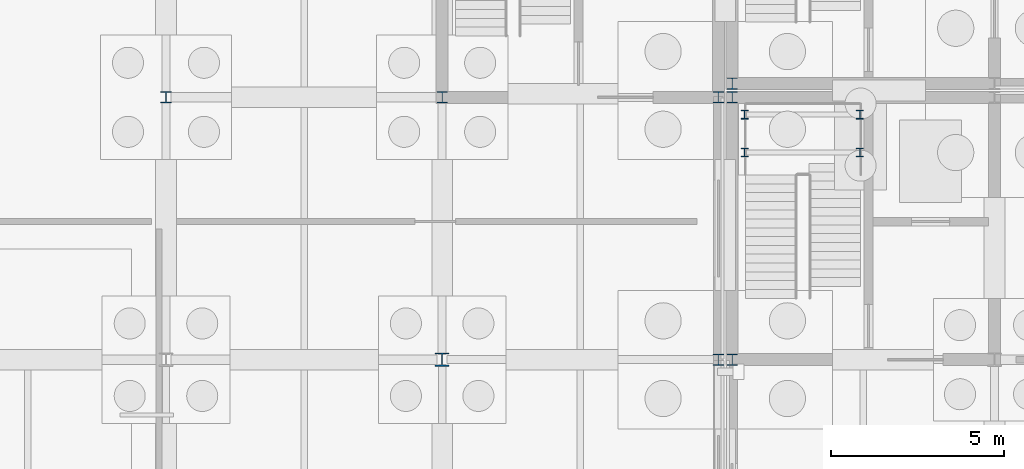
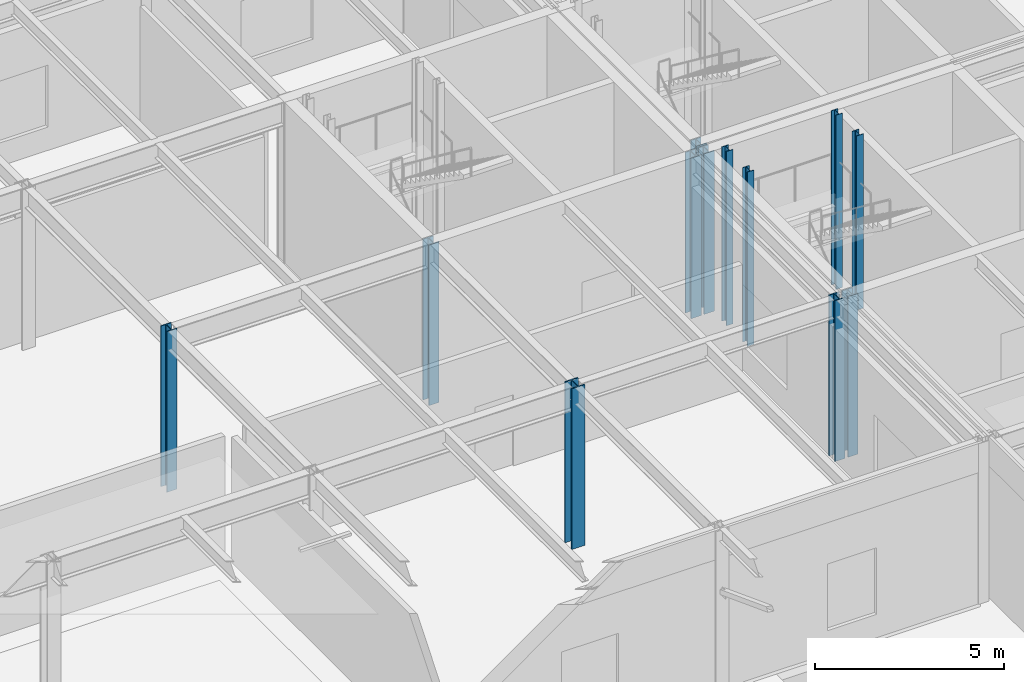
# One storey, part 17 of 62: 12 columns.
"""IFC4 building model written with IfcOpenShell, lengths in metres."""

from ifc_helpers import new_model, si_unit, direction, frame, origin, origin_2d, place, context, subcontext, project, spatial, i_section, extrude, material, material_profile, profile_set, type_object, element, save


model = new_model("IFC4")

# Units and contexts
model_context = context("Model", 3, precision=1e-05, world=origin(), true_north=direction((0.0, 1.0)))
body_context = subcontext(model_context, "Body", "Model", "MODEL_VIEW")
ifc_project = project(units=[si_unit("LENGTHUNIT", "METRE"), si_unit("AREAUNIT", "SQUARE_METRE"), si_unit("VOLUMEUNIT", "CUBIC_METRE"), si_unit("PLANEANGLEUNIT", "RADIAN"), si_unit("MASSUNIT", "GRAM", prefix="KILO")], contexts=[model_context])

# Site, building, storey
site_placement = place(None, origin())
site = spatial("IfcSite", under=ifc_project, at=site_placement, CompositionType="ELEMENT")
building_placement = place(site_placement, origin())
building = spatial("IfcBuilding", under=site, at=building_placement, Name="Zulena Civic Courthouse", CompositionType="ELEMENT")
storey_placement = place(building_placement, origin())
storey = spatial("IfcBuildingStorey", under=building, at=storey_placement, Name="L00", CompositionType="ELEMENT", Elevation=0.0)

# Columns
ifc_material = material(Name="Steel ASTM A992 Grade 50", Category="steel")
ifc_material_profile_1 = material_profile(ifc_material, i_section(OverallWidth=0.2041015625, OverallDepth=0.257080078125, WebThickness=0.0087890625, FlangeThickness=0.015625, FilletRadius=0.0126953125, at=origin_2d()), Name="W10X45")
ifc_profile_set_1 = profile_set([ifc_material_profile_1], Name="Steel ASTM A992 Grade 50")
column_type_1 = type_object("IfcColumnType", Name="Col_W10X45", PredefinedType="COLUMN", material=ifc_profile_set_1)
for number, where, z_axis, x_axis, name in (
    (1, (124.760009765625, 28.800048828125, -0.22998046875), (0.0, 0.0, 1.0), (1.0, 0.0, 0.0), "col:lnd:K1A:L00:0:0"),
    (2, (128.10009765625, 28.800048828125, -0.22998046875), (0.0, 0.0, 1.0), (1.0, 0.0, 0.0), "col:lnd:K1A:L00:0:1"),
    (3, (124.760009765625, 29.89990234375, -0.22998046875), (0.0, 0.0, 1.0), (1.0, 0.0, 0.0), "col:lnd:K1A:L00:1:0"),
    (4, (128.10009765625, 29.89990234375, -0.22998046875), (0.0, 0.0, 1.0), (1.0, 0.0, 0.0), "col:lnd:K1A:L00:1:1"),
):
    element("IfcColumn", number, at=place(storey_placement, frame(where, z_axis=z_axis, x_axis=x_axis)), inside=storey, type_object=column_type_1, Name=name, PredefinedType="COLUMN", context=body_context, shape_type="SweptSolid", body=[
        extrude(i_section(OverallWidth=0.2041015625, OverallDepth=0.257080078125, WebThickness=0.0087890625, FlangeThickness=0.015625, FilletRadius=0.0126953125, at=origin_2d()), origin(), (0.0, 0.0, 1.0), 5.625),
    ])
ifc_material_profile_2 = material_profile(ifc_material, i_section(OverallWidth=0.31298828125, OverallDepth=0.3330078125, WebThickness=0.01806640625, FlangeThickness=0.0283203125, FilletRadius=0.01513671875, at=origin_2d()), Name="W12X120")
ifc_profile_set_2 = profile_set([ifc_material_profile_2], Name="Steel ASTM A992 Grade 50")
column_type_2 = type_object("IfcColumnType", Name="Col_W12X120", PredefinedType="COLUMN", material=ifc_profile_set_2)
for number, where, z_axis, x_axis, name in (
    (5, (124.39990234375, 22.800048828125, 0.0), (0.0, 0.0, 1.0), (1.0, 0.0, 0.0), "col:V1:L00:124.4:22.8"),
    (6, (124.39990234375, 30.39990234375, 0.0), (0.0, 0.0, 1.0), (1.0, 0.0, 0.0), "col:V1:L00:124.4:30.4"),
    (7, (124.39990234375, 30.800048828125, 0.0), (0.0, 0.0, 1.0), (1.0, 0.0, 0.0), "col:V3:L00:124.4:30.8"),
    (8, (108.0, 30.39990234375, 0.0), (0.0, 0.0, 1.0), (1.0, 0.0, 0.0), "col:V4:L00:108.0:30.4"),
    (9, (116.0, 30.39990234375, 0.0), (0.0, 0.0, 1.0), (1.0, 0.0, 0.0), "col:V4:L00:116.0:30.4"),
    (10, (124.0, 22.800048828125, 0.0), (0.0, 0.0, 1.0), (1.0, 0.0, 0.0), "col:V4:L00:124.0:22.8"),
    (11, (124.0, 30.39990234375, 0.0), (0.0, 0.0, 1.0), (1.0, 0.0, 0.0), "col:V4:L00:124.0:30.4"),
):
    element("IfcColumn", number, at=place(storey_placement, frame(where, z_axis=z_axis, x_axis=x_axis)), inside=storey, type_object=column_type_2, Name=name, PredefinedType="COLUMN", context=body_context, shape_type="SweptSolid", body=[
        extrude(i_section(OverallWidth=0.31298828125, OverallDepth=0.3330078125, WebThickness=0.01806640625, FlangeThickness=0.0283203125, FilletRadius=0.01513671875, at=origin_2d()), origin(), (0.0, 0.0, 1.0), 5.18505859375),
    ])
ifc_material_profile_3 = material_profile(ifc_material, i_section(OverallWidth=0.40087890625, OverallDepth=0.39892578125, WebThickness=0.02490234375, FlangeThickness=0.03955078125, FilletRadius=0.01513671875, at=origin_2d()), Name="W14X211")
ifc_profile_set_3 = profile_set([ifc_material_profile_3], Name="Steel ASTM A992 Grade 50")
column_type_3 = type_object("IfcColumnType", Name="Col_W14X211", PredefinedType="COLUMN", material=ifc_profile_set_3)
column_placement = place(storey_placement, frame((116.0, 22.800048828125, 0.0), z_axis=(0.0, 0.0, 1.0), x_axis=(1.0, 0.0, 0.0)))
element("IfcColumn", 12, at=column_placement, inside=storey, type_object=column_type_3, Name="col:V4:L00:116.0:22.8", PredefinedType="COLUMN", context=body_context, shape_type="SweptSolid", body=[
    extrude(i_section(OverallWidth=0.40087890625, OverallDepth=0.39892578125, WebThickness=0.02490234375, FlangeThickness=0.03955078125, FilletRadius=0.01513671875, at=origin_2d()), origin(), (0.0, 0.0, 1.0), 5.18505859375),
])

save(model, "model.ifc")
